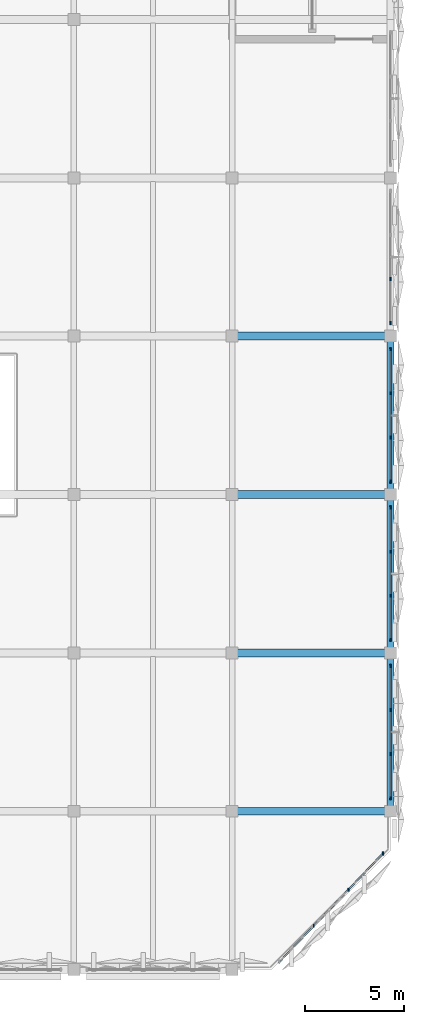
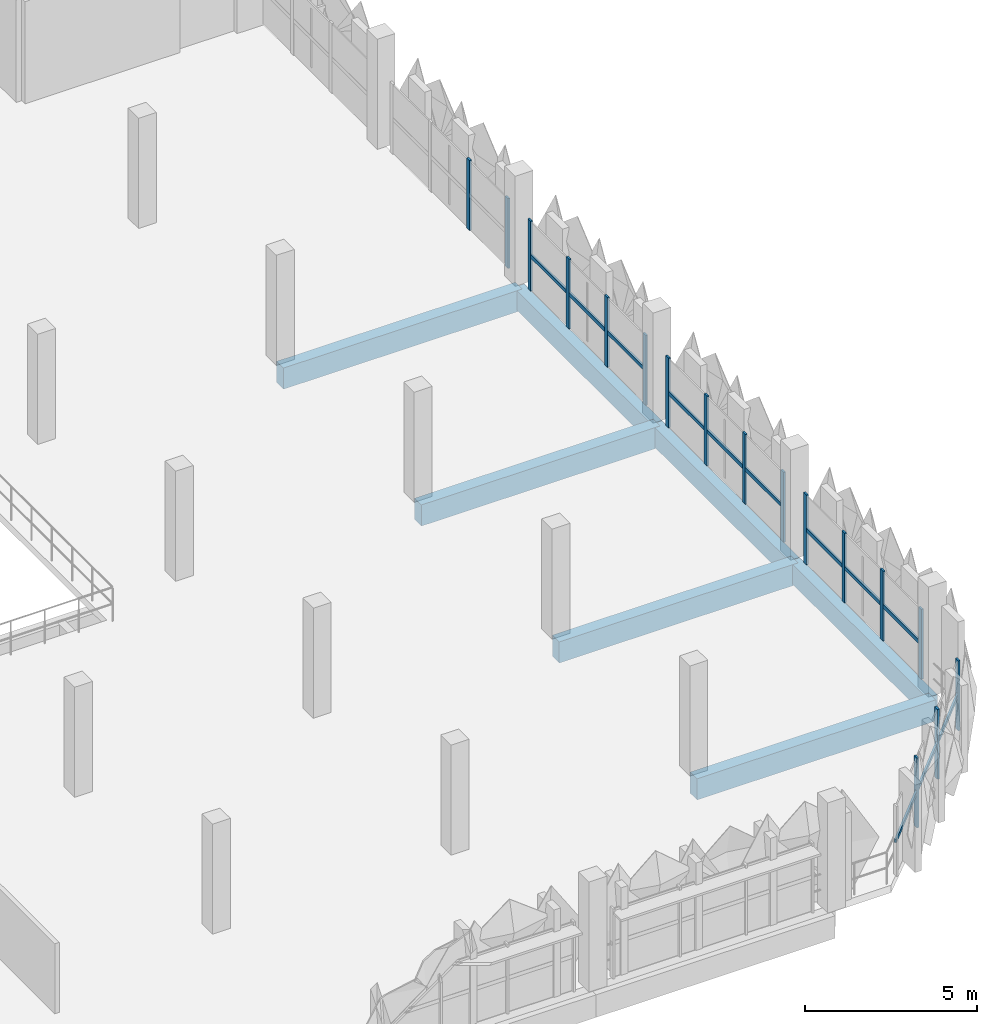
# One storey, part 46 of 123: 21 members, 7 beams, 5 elements without a shape of their own.
"""IFC4 building model written with IfcOpenShell, lengths in metres."""

from ifc_helpers import new_model, si_unit, derived_unit, direction, frame, origin, origin_2d, place, context, subcontext, project, spatial, rectangle, extrude, material, layer, layer_set, material_profile, profile_set, type_object, element, aggregate, save


model = new_model("IFC4")

# Units and contexts
model_context = context("Model", 3, precision=1e-05, world=origin(), true_north=direction((0.0, 1.0)))
body_context = subcontext(model_context, "Body", "Model", "MODEL_VIEW")
ifc_project = project(units=[si_unit("LENGTHUNIT", "METRE"), si_unit("AREAUNIT", "SQUARE_METRE"), si_unit("VOLUMEUNIT", "CUBIC_METRE"), si_unit("PLANEANGLEUNIT", "RADIAN"), si_unit("MASSUNIT", "GRAM", prefix="KILO"), si_unit("THERMODYNAMICTEMPERATUREUNIT", "KELVIN"), derived_unit("THERMALTRANSMITTANCEUNIT", [(si_unit("POWERUNIT", "WATT"), 1), (si_unit("AREAUNIT", "SQUARE_METRE"), -1), (si_unit("THERMODYNAMICTEMPERATUREUNIT", "KELVIN"), -1)])], contexts=[model_context])

# Site, building, storey
site_placement = place(None, origin())
site = spatial("IfcSite", under=ifc_project, at=site_placement, CompositionType="ELEMENT")
building_placement = place(site_placement, origin())
building = spatial("IfcBuilding", under=site, at=building_placement, Name="Haiyu Intermodal Mobility Hub", CompositionType="ELEMENT")
storey_placement = place(building_placement, frame((0.0, 0.0, 5.60009765625)))
storey = spatial("IfcBuildingStorey", under=building, at=storey_placement, Name="L01", CompositionType="ELEMENT", Elevation=5.60009765625)

# Beams
ifc_material_1 = material(Name="Concrete C40", Category="concrete")
ifc_material_profile_1 = material_profile(ifc_material_1, rectangle(XDim=0.39990234375, YDim=0.75, at=origin_2d()), Name="RCB400x750")
ifc_profile_set_1 = profile_set([ifc_material_profile_1], Name="Concrete C40")
beam_type_1 = type_object("IfcBeamType", Name="BM-CB03", PredefinedType="BEAM", material=ifc_profile_set_1)
for number, where, z_axis, x_axis, name in (
    (1, (202.0, 24.0, -0.635009765625), (1.0, 0.0, 0.0), (0.0, 1.0, 0.0), "BM-V5G-L01-013"),
    (2, (202.0, 32.0, -0.635009765625), (1.0, 0.0, 0.0), (0.0, 1.0, 0.0), "BM-V5G-L01-020"),
    (3, (202.0, 40.0, -0.635009765625), (1.0, 0.0, 0.0), (0.0, 1.0, 0.0), "BM-V5G-L01-027"),
    (4, (202.0, 48.0, -0.635009765625), (1.0, 0.0, 0.0), (0.0, 1.0, 0.0), "BM-V5G-L01-034"),
):
    element("IfcBeam", number, at=place(storey_placement, frame(where, z_axis=z_axis, x_axis=x_axis)), inside=storey, type_object=beam_type_1, Name=name, PredefinedType="BEAM", context=body_context, shape_type="SweptSolid", body=[
        extrude(rectangle(XDim=0.39990234375, YDim=0.75, at=origin_2d()), origin(), (0.0, 0.0, 1.0), 8.0),
    ])
ifc_material_profile_2 = material_profile(ifc_material_1, rectangle(XDim=0.35009765625, YDim=0.699951171875, at=origin_2d()), Name="RCB350x700")
ifc_profile_set_2 = profile_set([ifc_material_profile_2], Name="Concrete C40")
beam_type_2 = type_object("IfcBeamType", Name="BM-CB06", PredefinedType="BEAM", material=ifc_profile_set_2)
for number, where, z_axis, x_axis, name in (
    (5, (210.0, 24.0, -0.610107421875), (0.0, 1.0, 0.0), (-1.0, 0.0, 0.0), "BM-V5T-L01-057"),
    (6, (210.0, 32.0, -0.610107421875), (0.0, 1.0, 0.0), (-1.0, 0.0, 0.0), "BM-V5T-L01-058"),
    (7, (210.0, 40.0, -0.610107421875), (0.0, 1.0, 0.0), (-1.0, 0.0, 0.0), "BM-V5T-L01-059"),
):
    element("IfcBeam", number, at=place(storey_placement, frame(where, z_axis=z_axis, x_axis=x_axis)), inside=storey, type_object=beam_type_2, Name=name, PredefinedType="BEAM", context=body_context, shape_type="SweptSolid", body=[
        extrude(rectangle(XDim=0.35009765625, YDim=0.699951171875, at=origin_2d()), origin(), (0.0, 0.0, 1.0), 8.0),
    ])

# Curtain wall, members
ifc_material_2 = material(Name="Low-e laminated insulating glass", Category="glass")
ifc_layer = layer(ifc_material_2, 0.2099609375)
ifc_layer_set = layer_set([ifc_layer], Name="Low-e laminated insulating glass")
curtain_wall_type = type_object("IfcCurtainWallType", Name="CW-CW04", PredefinedType="NOTDEFINED", material=ifc_layer_set)
curtain_wall_1_placement = place(storey_placement, origin())
curtain_wall_1 = element("IfcCurtainWall", 8, at=curtain_wall_1_placement, inside=storey, type_object=curtain_wall_type, Name="Curtain Wall CW-V5E-L01-099", PredefinedType="NOTDEFINED")
ifc_material_3 = material(Name="Anodised aluminium 6063-T6", Category="aluminium")
ifc_material_profile_3 = material_profile(ifc_material_3, rectangle(XDim=0.06494140625, YDim=0.1650390625, at=origin_2d()), Name="ALU65x165")
ifc_profile_set_3 = profile_set([ifc_material_profile_3], Name="Anodised aluminium 6063-T6")
member_type_1 = type_object("IfcMemberType", Name="CWM-ML02", PredefinedType="MULLION", material=ifc_profile_set_3)
member_1_placement = place(storey_placement, frame((210.0, 24.659912109375, 0.0), z_axis=(0.0, 0.0, 1.0), x_axis=(1.0, 0.0, 0.0)))
member_1 = element("IfcMember", 9, at=member_1_placement, type_object=member_type_1, Name="CW-V5E-L01-099-ML01", PredefinedType="MULLION", context=body_context, shape_type="SweptSolid", body=[
    extrude(rectangle(XDim=0.06494140625, YDim=0.1650390625, at=origin_2d()), origin(), (0.0, 0.0, 1.0), 2.47998046875),
])
member_2_placement = place(storey_placement, frame((210.0, 26.886962890625, 0.0), z_axis=(0.0, 0.0, 1.0), x_axis=(1.0, 0.0, 0.0)))
member_2 = element("IfcMember", 10, at=member_2_placement, type_object=member_type_1, Name="CW-V5E-L01-099-ML02", PredefinedType="MULLION", context=body_context, shape_type="SweptSolid", body=[
    extrude(rectangle(XDim=0.06494140625, YDim=0.1650390625, at=origin_2d()), origin(), (0.0, 0.0, 1.0), 2.47998046875),
])
member_3_placement = place(storey_placement, frame((210.0, 29.113037109375, 0.0), z_axis=(0.0, 0.0, 1.0), x_axis=(1.0, 0.0, 0.0)))
member_3 = element("IfcMember", 11, at=member_3_placement, type_object=member_type_1, Name="CW-V5E-L01-099-ML03", PredefinedType="MULLION", context=body_context, shape_type="SweptSolid", body=[
    extrude(rectangle(XDim=0.06494140625, YDim=0.1650390625, at=origin_2d()), origin(), (0.0, 0.0, 1.0), 2.47998046875),
])
member_4_placement = place(storey_placement, frame((210.0, 31.340087890625, 0.0), z_axis=(0.0, 0.0, 1.0), x_axis=(1.0, 0.0, 0.0)))
member_4 = element("IfcMember", 12, at=member_4_placement, type_object=member_type_1, Name="CW-V5E-L01-099-ML04", PredefinedType="MULLION", context=body_context, shape_type="SweptSolid", body=[
    extrude(rectangle(XDim=0.06494140625, YDim=0.1650390625, at=origin_2d()), origin(), (0.0, 0.0, 1.0), 2.47998046875),
])

curtain_wall_2_placement = place(storey_placement, origin())
curtain_wall_2 = element("IfcCurtainWall", 13, at=curtain_wall_2_placement, inside=storey, type_object=curtain_wall_type, Name="Curtain Wall CW-V5E-L01-100", PredefinedType="NOTDEFINED")
member_5_placement = place(storey_placement, frame((210.0, 32.659912109375, 0.0), z_axis=(0.0, 0.0, 1.0), x_axis=(1.0, 0.0, 0.0)))
member_5 = element("IfcMember", 14, at=member_5_placement, type_object=member_type_1, Name="CW-V5E-L01-100-ML01", PredefinedType="MULLION", context=body_context, shape_type="SweptSolid", body=[
    extrude(rectangle(XDim=0.06494140625, YDim=0.1650390625, at=origin_2d()), origin(), (0.0, 0.0, 1.0), 2.47998046875),
])
member_6_placement = place(storey_placement, frame((210.0, 34.886962890625, 0.0), z_axis=(0.0, 0.0, 1.0), x_axis=(1.0, 0.0, 0.0)))
member_6 = element("IfcMember", 15, at=member_6_placement, type_object=member_type_1, Name="CW-V5E-L01-100-ML02", PredefinedType="MULLION", context=body_context, shape_type="SweptSolid", body=[
    extrude(rectangle(XDim=0.06494140625, YDim=0.1650390625, at=origin_2d()), origin(), (0.0, 0.0, 1.0), 2.47998046875),
])
member_7_placement = place(storey_placement, frame((210.0, 37.113037109375, 0.0), z_axis=(0.0, 0.0, 1.0), x_axis=(1.0, 0.0, 0.0)))
member_7 = element("IfcMember", 16, at=member_7_placement, type_object=member_type_1, Name="CW-V5E-L01-100-ML03", PredefinedType="MULLION", context=body_context, shape_type="SweptSolid", body=[
    extrude(rectangle(XDim=0.06494140625, YDim=0.1650390625, at=origin_2d()), origin(), (0.0, 0.0, 1.0), 2.47998046875),
])
member_8_placement = place(storey_placement, frame((210.0, 39.340087890625, 0.0), z_axis=(0.0, 0.0, 1.0), x_axis=(1.0, 0.0, 0.0)))
member_8 = element("IfcMember", 17, at=member_8_placement, type_object=member_type_1, Name="CW-V5E-L01-100-ML04", PredefinedType="MULLION", context=body_context, shape_type="SweptSolid", body=[
    extrude(rectangle(XDim=0.06494140625, YDim=0.1650390625, at=origin_2d()), origin(), (0.0, 0.0, 1.0), 2.47998046875),
])

curtain_wall_3_placement = place(storey_placement, origin())
curtain_wall_3 = element("IfcCurtainWall", 18, at=curtain_wall_3_placement, inside=storey, type_object=curtain_wall_type, Name="Curtain Wall CW-V5E-L01-101", PredefinedType="NOTDEFINED")
member_9_placement = place(storey_placement, frame((210.0, 40.659912109375, 0.0), z_axis=(0.0, 0.0, 1.0), x_axis=(1.0, 0.0, 0.0)))
member_9 = element("IfcMember", 19, at=member_9_placement, type_object=member_type_1, Name="CW-V5E-L01-101-ML01", PredefinedType="MULLION", context=body_context, shape_type="SweptSolid", body=[
    extrude(rectangle(XDim=0.06494140625, YDim=0.1650390625, at=origin_2d()), origin(), (0.0, 0.0, 1.0), 2.47998046875),
])
member_10_placement = place(storey_placement, frame((210.0, 42.886962890625, 0.0), z_axis=(0.0, 0.0, 1.0), x_axis=(1.0, 0.0, 0.0)))
member_10 = element("IfcMember", 20, at=member_10_placement, type_object=member_type_1, Name="CW-V5E-L01-101-ML02", PredefinedType="MULLION", context=body_context, shape_type="SweptSolid", body=[
    extrude(rectangle(XDim=0.06494140625, YDim=0.1650390625, at=origin_2d()), origin(), (0.0, 0.0, 1.0), 2.47998046875),
])
member_11_placement = place(storey_placement, frame((210.0, 45.113037109375, 0.0), z_axis=(0.0, 0.0, 1.0), x_axis=(1.0, 0.0, 0.0)))
member_11 = element("IfcMember", 21, at=member_11_placement, type_object=member_type_1, Name="CW-V5E-L01-101-ML03", PredefinedType="MULLION", context=body_context, shape_type="SweptSolid", body=[
    extrude(rectangle(XDim=0.06494140625, YDim=0.1650390625, at=origin_2d()), origin(), (0.0, 0.0, 1.0), 2.47998046875),
])
member_12_placement = place(storey_placement, frame((210.0, 47.340087890625, 0.0), z_axis=(0.0, 0.0, 1.0), x_axis=(1.0, 0.0, 0.0)))
member_12 = element("IfcMember", 22, at=member_12_placement, type_object=member_type_1, Name="CW-V5E-L01-101-ML04", PredefinedType="MULLION", context=body_context, shape_type="SweptSolid", body=[
    extrude(rectangle(XDim=0.06494140625, YDim=0.1650390625, at=origin_2d()), origin(), (0.0, 0.0, 1.0), 2.47998046875),
])

curtain_wall_4_placement = place(storey_placement, origin())
curtain_wall_4 = element("IfcCurtainWall", 23, at=curtain_wall_4_placement, inside=storey, type_object=curtain_wall_type, Name="Curtain Wall CW-V5E-L01-102", PredefinedType="NOTDEFINED")
member_13_placement = place(storey_placement, frame((210.0, 48.659912109375, 0.0), z_axis=(0.0, 0.0, 1.0), x_axis=(1.0, 0.0, 0.0)))
member_13 = element("IfcMember", 24, at=member_13_placement, type_object=member_type_1, Name="CW-V5E-L01-102-ML01", PredefinedType="MULLION", context=body_context, shape_type="SweptSolid", body=[
    extrude(rectangle(XDim=0.06494140625, YDim=0.1650390625, at=origin_2d()), origin(), (0.0, 0.0, 1.0), 2.47998046875),
])
member_14_placement = place(storey_placement, frame((210.0, 50.886962890625, 0.0), z_axis=(0.0, 0.0, 1.0), x_axis=(1.0, 0.0, 0.0)))
member_14 = element("IfcMember", 25, at=member_14_placement, type_object=member_type_1, Name="CW-V5E-L01-102-ML02", PredefinedType="MULLION", context=body_context, shape_type="SweptSolid", body=[
    extrude(rectangle(XDim=0.06494140625, YDim=0.1650390625, at=origin_2d()), origin(), (0.0, 0.0, 1.0), 2.47998046875),
])
aggregate(curtain_wall_4, [member_13, member_14])

curtain_wall_5_placement = place(storey_placement, origin())
curtain_wall_5 = element("IfcCurtainWall", 26, at=curtain_wall_5_placement, inside=storey, type_object=curtain_wall_type, Name="Curtain Wall CW-V5CH-L01-179", PredefinedType="NOTDEFINED")
member_15_placement = place(storey_placement, frame((206.1259765625, 18.2099609375, 0.0), z_axis=(0.0, 0.0, 1.0), x_axis=(1.0, 0.0, 0.0)))
member_15 = element("IfcMember", 27, at=member_15_placement, type_object=member_type_1, Name="CW-V5CH-L01-179-ML02", PredefinedType="MULLION", context=body_context, shape_type="SweptSolid", body=[
    extrude(rectangle(XDim=0.06494140625, YDim=0.1650390625, at=origin_2d()), origin(), (0.0, 0.0, 1.0), 2.47998046875),
])
member_16_placement = place(storey_placement, frame((207.8740234375, 20.0400390625, 0.0), z_axis=(0.0, 0.0, 1.0), x_axis=(1.0, 0.0, 0.0)))
member_16 = element("IfcMember", 28, at=member_16_placement, type_object=member_type_1, Name="CW-V5CH-L01-179-ML03", PredefinedType="MULLION", context=body_context, shape_type="SweptSolid", body=[
    extrude(rectangle(XDim=0.06494140625, YDim=0.1650390625, at=origin_2d()), origin(), (0.0, 0.0, 1.0), 2.47998046875),
])
member_17_placement = place(storey_placement, frame((209.6220703125, 21.87109375, 0.0), z_axis=(0.0, 0.0, 1.0), x_axis=(1.0, 0.0, 0.0)))
member_17 = element("IfcMember", 29, at=member_17_placement, type_object=member_type_1, Name="CW-V5CH-L01-179-ML04", PredefinedType="MULLION", context=body_context, shape_type="SweptSolid", body=[
    extrude(rectangle(XDim=0.06494140625, YDim=0.1650390625, at=origin_2d()), origin(), (0.0, 0.0, 1.0), 2.47998046875),
])

# Member
ifc_material_profile_4 = material_profile(ifc_material_3, rectangle(XDim=0.06494140625, YDim=0.135009765625, at=origin_2d()), Name="ALU65x135")
ifc_profile_set_4 = profile_set([ifc_material_profile_4], Name="Anodised aluminium 6063-T6")
member_type_2 = type_object("IfcMemberType", Name="CWM-TR02", PredefinedType="USERDEFINED", material=ifc_profile_set_4)
member_18_placement = place(storey_placement, frame((210.0, 24.6201171875, 1.239990234375), z_axis=(0.0, 1.0, 0.0), x_axis=(-1.0, 0.0, 0.0)))
member_18 = element("IfcMember", 30, at=member_18_placement, type_object=member_type_2, Name="CW-V5E-L01-099-TR01", ObjectType="TRANSOM", PredefinedType="USERDEFINED", context=body_context, shape_type="SweptSolid", body=[
    extrude(rectangle(XDim=0.06494140625, YDim=0.135009765625, at=origin_2d()), origin(), (0.0, 0.0, 1.0), 6.759765625),
])

aggregate(curtain_wall_1, [member_1, member_2, member_3, member_4, member_18])

member_19_placement = place(storey_placement, frame((210.0, 32.6201171875, 1.239990234375), z_axis=(0.0, 1.0, 0.0), x_axis=(-1.0, 0.0, 0.0)))
member_19 = element("IfcMember", 31, at=member_19_placement, type_object=member_type_2, Name="CW-V5E-L01-100-TR01", ObjectType="TRANSOM", PredefinedType="USERDEFINED", context=body_context, shape_type="SweptSolid", body=[
    extrude(rectangle(XDim=0.06494140625, YDim=0.135009765625, at=origin_2d()), origin(), (0.0, 0.0, 1.0), 6.759765625),
])

aggregate(curtain_wall_2, [member_5, member_6, member_7, member_8, member_19])

member_20_placement = place(storey_placement, frame((210.0, 40.6201171875, 1.239990234375), z_axis=(0.0, 1.0, 0.0), x_axis=(-1.0, 0.0, 0.0)))
member_20 = element("IfcMember", 32, at=member_20_placement, type_object=member_type_2, Name="CW-V5E-L01-101-TR01", ObjectType="TRANSOM", PredefinedType="USERDEFINED", context=body_context, shape_type="SweptSolid", body=[
    extrude(rectangle(XDim=0.06494140625, YDim=0.135009765625, at=origin_2d()), origin(), (0.0, 0.0, 1.0), 6.759765625),
])

aggregate(curtain_wall_3, [member_9, member_10, member_11, member_12, member_20])

member_21_placement = place(storey_placement, frame((204.35009765625, 16.35009765625, 1.239990234375), z_axis=(0.690630091683, 0.723208183349, 0.0), x_axis=(-0.723208183349, 0.690630091683, 0.0)))
member_21 = element("IfcMember", 33, at=member_21_placement, type_object=member_type_2, Name="CW-V5CH-L01-179-TR01", ObjectType="TRANSOM", PredefinedType="USERDEFINED", context=body_context, shape_type="SweptSolid", body=[
    extrude(rectangle(XDim=0.06494140625, YDim=0.135009765625, at=origin_2d()), origin(), (0.0, 0.0, 1.0), 7.673828125),
])

aggregate(curtain_wall_5, [member_15, member_16, member_17, member_21])

save(model, "model.ifc")
